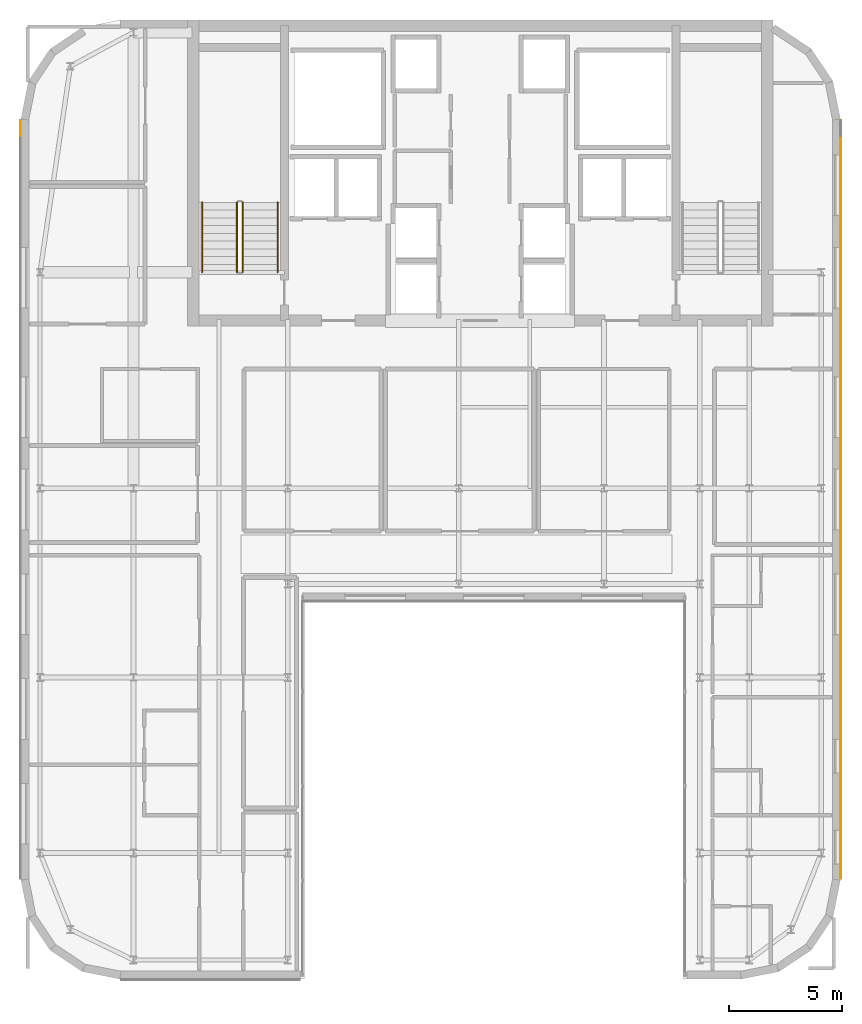
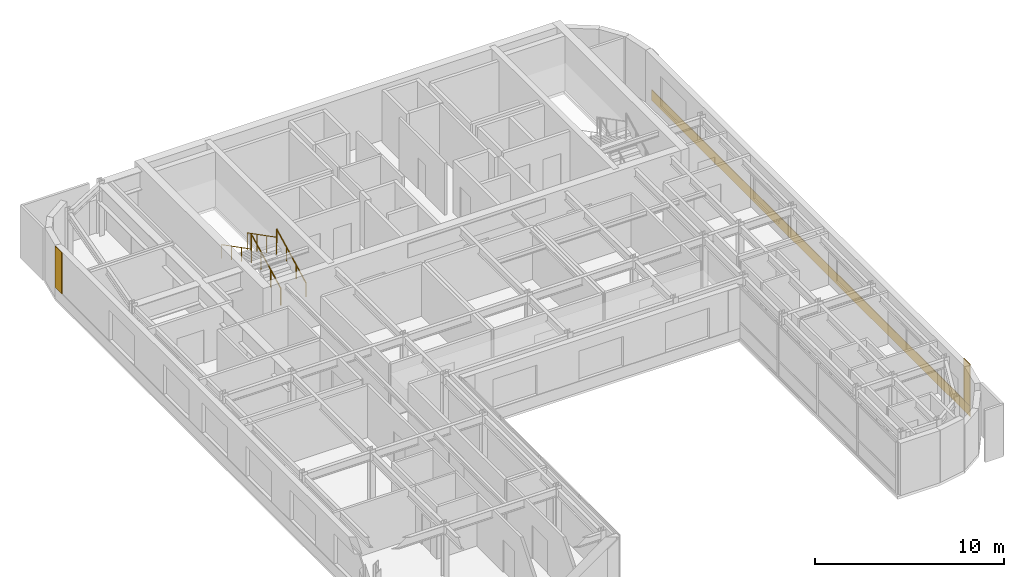
# One storey, part 20 of 21: 4 railings, 3 coverings.
"""IFC4 building model written with IfcOpenShell, lengths in metres."""

from ifc_helpers import new_model, si_unit, direction, frame, origin, origin_2d, place, context, subcontext, project, spatial, polyline, circle, outline, extrude, material, layer, layer_set, type_object, element, save


model = new_model("IFC4")

# Units and contexts
model_context = context("Model", 3, precision=1e-05, world=origin(), true_north=direction((0.0, 1.0)))
body_context = subcontext(model_context, "Body", "Model", "MODEL_VIEW")
ifc_project = project(units=[si_unit("LENGTHUNIT", "METRE"), si_unit("AREAUNIT", "SQUARE_METRE"), si_unit("VOLUMEUNIT", "CUBIC_METRE"), si_unit("PLANEANGLEUNIT", "RADIAN"), si_unit("MASSUNIT", "GRAM", prefix="KILO")], contexts=[model_context])

# Site, building, storey
site_placement = place(None, origin())
site = spatial("IfcSite", under=ifc_project, at=site_placement, CompositionType="ELEMENT")
building_placement = place(site_placement, origin())
building = spatial("IfcBuilding", under=site, at=building_placement, Name="Tolvann Quenvar Hotel", CompositionType="ELEMENT")
storey_placement = place(building_placement, frame((0.0, 0.0, 255.85009765625)))
storey = spatial("IfcBuildingStorey", under=building, at=storey_placement, Name="L68", CompositionType="ELEMENT", Elevation=255.85009765625)

# Coverings
ifc_material_1 = material(Name="Kiln-fired red architectural face brick cladding", Category="masonry")
ifc_layer_1 = layer(ifc_material_1, 0.0400390625)
ifc_layer_set_1 = layer_set([ifc_layer_1], Name="Kiln-fired red architectural face brick cladding")
covering_type_1 = type_object("IfcCoveringType", Name="COV_CLAD_BRICK_40", PredefinedType="CLADDING", material=ifc_layer_set_1)
covering_1_placement = place(storey_placement, frame((0.0, 0.0, 0.699951171875)))
element("IfcCovering", 1, at=covering_1_placement, inside=storey, type_object=covering_type_1, Name="Brick Pier Cladding (L68-E13-P1)", PredefinedType="CLADDING", context=body_context, shape_type="SweptSolid", body=[
    extrude(outline(polyline([(39.0, 7.067138671875), (39.0, 7.76708984375), (39.0400390625, 7.76708984375), (39.0400390625, 7.067138671875), (39.0, 7.067138671875)])), origin(), (0.0, 0.0, 1.0), 2.669921875),
])
covering_2_placement = place(storey_placement, frame((0.0, 0.0, 0.699951171875)))
element("IfcCovering", 2, at=covering_2_placement, inside=storey, type_object=covering_type_1, Name="Brick Pier Cladding (L68-E23-P1)", PredefinedType="CLADDING", context=body_context, shape_type="SweptSolid", body=[
    extrude(outline(polyline([(2.60009765625, 40.73291015625), (2.60009765625, 40.03271484375), (2.56005859375, 40.03271484375), (2.56005859375, 40.73291015625), (2.60009765625, 40.73291015625)])), origin(), (0.0, 0.0, 1.0), 2.669921875),
])
ifc_material_2 = material(Name="Moulded buff architectural terracotta spandrel cladding", Category="masonry")
ifc_layer_2 = layer(ifc_material_2, 0.0400390625)
ifc_layer_set_2 = layer_set([ifc_layer_2], Name="Moulded buff architectural terracotta spandrel cladding")
covering_type_2 = type_object("IfcCoveringType", Name="COV_CLAD_TERRA_40", PredefinedType="CLADDING", material=ifc_layer_set_2)
covering_3_placement = place(storey_placement, origin())
element("IfcCovering", 3, at=covering_3_placement, inside=storey, type_object=covering_type_2, Name="Terracotta Spandrel Cladding (L68-E13)", PredefinedType="CLADDING", context=body_context, shape_type="SweptSolid", body=[
    extrude(outline(polyline([(39.0, 7.05712890625), (39.0, 40.742919921875), (39.0400390625, 40.742919921875), (39.0400390625, 7.05712890625), (39.0, 7.05712890625)])), origin(), (0.0, 0.0, 1.0), 0.699951171875),
])

# Railings
ifc_material_3 = material(Name="Brushed 316 stainless steel balustrade and handrail", Category="steel")
railing_type_1 = type_object("IfcRailingType", Name="GUARDRAIL", PredefinedType="GUARDRAIL", material=ifc_material_3)
railing_1_placement = place(storey_placement, frame((12.449951171875, 34.0, 0.177490234375)))
element("IfcRailing", 4, at=railing_1_placement, inside=storey, type_object=railing_type_1, Name="L68 ST-C1 stair guard 1", PredefinedType="GUARDRAIL", context=body_context, shape_type="SweptSolid", body=[
    extrude(circle(Radius=0.02392578125, at=origin_2d()), frame((0.0, 0.0, 1.09619140625), z_axis=(0.0, 0.889221982265, 0.45747597342), x_axis=(-1.0, 0.0, 0.0)), (0.0, 0.0, 1.0), 3.49169921875),
    extrude(circle(Radius=0.02099609375, at=origin_2d()), origin(), (0.0, 0.0, 1.0), 1.072021484375),
    extrude(circle(Radius=0.02099609375, at=origin_2d()), frame((0.0, 1.034912109375, 0.532470703125)), (0.0, 0.0, 1.0), 1.072021484375),
    extrude(circle(Radius=0.02099609375, at=origin_2d()), frame((0.0, 2.070068359375, 1.06494140625)), (0.0, 0.0, 1.0), 1.072021484375),
    extrude(circle(Radius=0.02099609375, at=origin_2d()), frame((0.0, 3.10498046875, 1.597412109375)), (0.0, 0.0, 1.0), 1.072021484375),
])
railing_2_placement = place(storey_placement, frame((12.199951171875, 37.10498046875, 1.952392578125)))
element("IfcRailing", 5, at=railing_2_placement, inside=storey, type_object=railing_type_1, Name="L68 ST-C1 stair guard 3", PredefinedType="GUARDRAIL", context=body_context, shape_type="SweptSolid", body=[
    extrude(circle(Radius=0.02392578125, at=origin_2d()), frame((0.0, 0.0, 1.09619140625), z_axis=(0.0, -0.889221982265, 0.45747597342), x_axis=(1.0, 0.0, 0.0)), (0.0, 0.0, 1.0), 3.49169921875),
    extrude(circle(Radius=0.02099609375, at=origin_2d()), origin(), (0.0, 0.0, 1.0), 1.072021484375),
    extrude(circle(Radius=0.02099609375, at=origin_2d()), frame((0.0, -1.034912109375, 0.532470703125)), (0.0, 0.0, 1.0), 1.072021484375),
    extrude(circle(Radius=0.02099609375, at=origin_2d()), frame((0.0, -2.070068359375, 1.06494140625)), (0.0, 0.0, 1.0), 1.072021484375),
    extrude(circle(Radius=0.02099609375, at=origin_2d()), frame((0.0, -3.10498046875, 1.597412109375)), (0.0, 0.0, 1.0), 1.072021484375),
])
railing_type_2 = type_object("IfcRailingType", Name="HANDRAIL", PredefinedType="HANDRAIL", material=ifc_material_3)
railing_3_placement = place(storey_placement, frame((14.0, 34.0, 0.177490234375)))
element("IfcRailing", 6, at=railing_3_placement, inside=storey, type_object=railing_type_2, Name="L68 ST-C1 stair handrail 1", PredefinedType="HANDRAIL", context=body_context, shape_type="SweptSolid", body=[
    extrude(circle(Radius=0.02392578125, at=origin_2d()), frame((0.0, 0.0, 0.8759765625), z_axis=(0.0, 0.889221982265, 0.45747597342), x_axis=(-1.0, 0.0, 0.0)), (0.0, 0.0, 1.0), 3.49169921875),
    extrude(circle(Radius=0.02099609375, at=origin_2d()), origin(), (0.0, 0.0, 1.0), 0.851806640625),
    extrude(circle(Radius=0.02099609375, at=origin_2d()), frame((0.0, 1.034912109375, 0.532470703125)), (0.0, 0.0, 1.0), 0.851806640625),
    extrude(circle(Radius=0.02099609375, at=origin_2d()), frame((0.0, 2.070068359375, 1.06494140625)), (0.0, 0.0, 1.0), 0.851806640625),
    extrude(circle(Radius=0.02099609375, at=origin_2d()), frame((0.0, 3.10498046875, 1.597412109375)), (0.0, 0.0, 1.0), 0.851806640625),
])
railing_4_placement = place(storey_placement, frame((10.64990234375, 37.10498046875, 1.952392578125)))
element("IfcRailing", 7, at=railing_4_placement, inside=storey, type_object=railing_type_2, Name="L68 ST-C1 stair handrail 2", PredefinedType="HANDRAIL", context=body_context, shape_type="SweptSolid", body=[
    extrude(circle(Radius=0.02392578125, at=origin_2d()), frame((0.0, 0.0, 0.8759765625), z_axis=(0.0, -0.889221982265, 0.45747597342), x_axis=(1.0, 0.0, 0.0)), (0.0, 0.0, 1.0), 3.49169921875),
    extrude(circle(Radius=0.02099609375, at=origin_2d()), origin(), (0.0, 0.0, 1.0), 0.851806640625),
    extrude(circle(Radius=0.02099609375, at=origin_2d()), frame((0.0, -1.034912109375, 0.532470703125)), (0.0, 0.0, 1.0), 0.851806640625),
    extrude(circle(Radius=0.02099609375, at=origin_2d()), frame((0.0, -2.070068359375, 1.06494140625)), (0.0, 0.0, 1.0), 0.851806640625),
    extrude(circle(Radius=0.02099609375, at=origin_2d()), frame((0.0, -3.10498046875, 1.597412109375)), (0.0, 0.0, 1.0), 0.851806640625),
])

save(model, "model.ifc")
